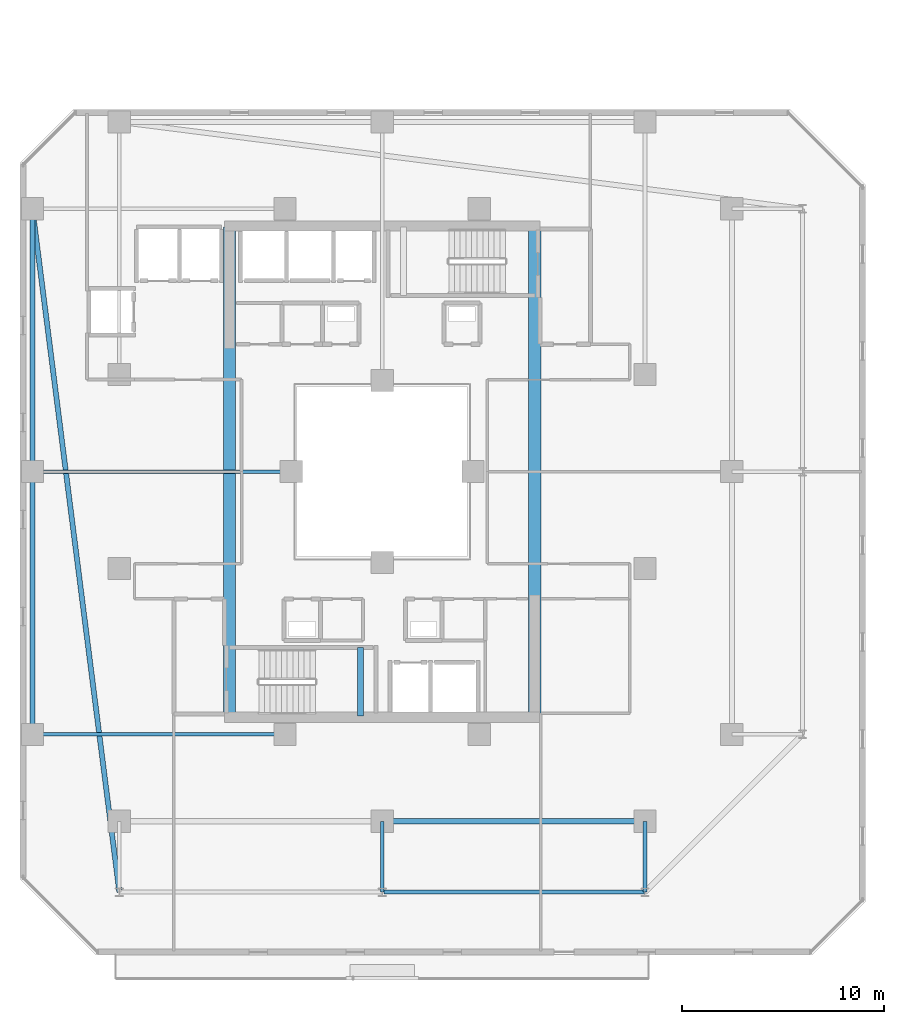
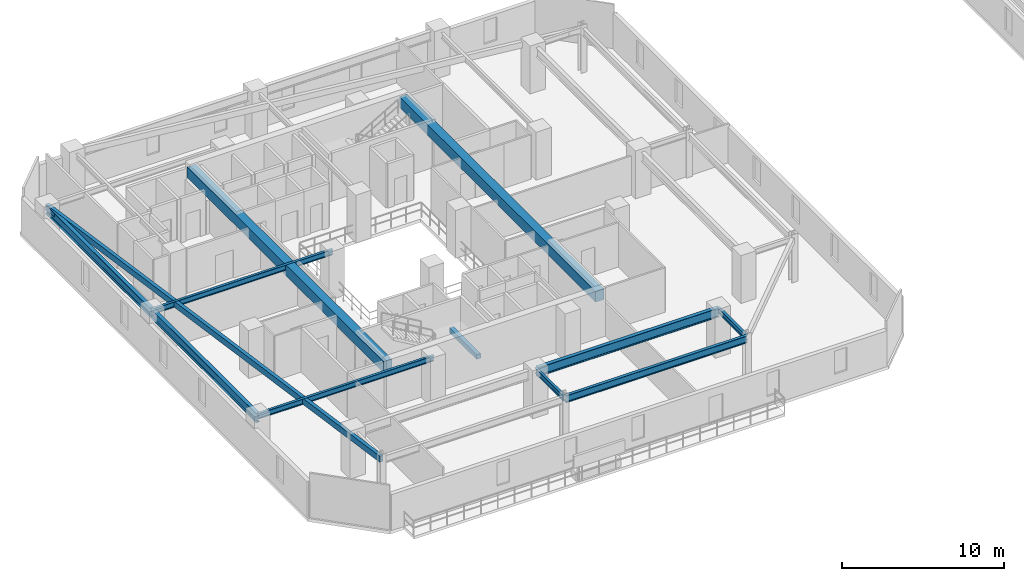
# One storey, part 4 of 32: 12 beams.
"""IFC4 building model written with IfcOpenShell, lengths in metres."""

from ifc_helpers import new_model, si_unit, direction, frame, origin, origin_2d, place, context, subcontext, project, spatial, rectangle, hollow_rectangle, i_section, extrude, material, material_profile, profile_set, type_object, element, save


model = new_model("IFC4")

# Units and contexts
model_context = context("Model", 3, precision=1e-05, world=origin(), true_north=direction((0.0, 1.0)))
body_context = subcontext(model_context, "Body", "Model", "MODEL_VIEW")
ifc_project = project(units=[si_unit("LENGTHUNIT", "METRE"), si_unit("AREAUNIT", "SQUARE_METRE"), si_unit("VOLUMEUNIT", "CUBIC_METRE"), si_unit("PLANEANGLEUNIT", "RADIAN"), si_unit("MASSUNIT", "GRAM", prefix="KILO")], contexts=[model_context])

# Site, building, storey
site_placement = place(None, origin())
site = spatial("IfcSite", under=ifc_project, at=site_placement, CompositionType="ELEMENT")
building_placement = place(site_placement, origin())
building = spatial("IfcBuilding", under=site, at=building_placement, Name="Thornwick Lancets Civic Towers", CompositionType="ELEMENT")
storey_placement = place(building_placement, frame((0.0, 0.0, 156.300048828125)))
storey = spatial("IfcBuildingStorey", under=building, at=storey_placement, Name="L41", CompositionType="ELEMENT", Elevation=156.300048828125)

# Beams
ifc_material_1 = material(Name="Concrete C60/75", Category="concrete")
ifc_material_profile_1 = material_profile(ifc_material_1, rectangle(XDim=0.60009765625, YDim=0.800048828125, at=origin_2d()), Name="RC 600x800")
ifc_profile_set_1 = profile_set([ifc_material_profile_1], Name="Concrete C60/75")
beam_type_1 = type_object("IfcBeamType", Name="BM_COUP_RC800", PredefinedType="BEAM", material=ifc_profile_set_1)
for number, where, z_axis, x_axis, name in (
    (1, (33.050048828125, 14.89990234375, 2.9599609375), (0.0, 1.0, 0.0), (-1.0, 0.0, 0.0), "CB-L41-A1"),
    (2, (17.949951171875, 14.89990234375, 2.9599609375), (0.0, 1.0, 0.0), (-1.0, 0.0, 0.0), "CB-L41-A2"),
):
    element("IfcBeam", number, at=place(storey_placement, frame(where, z_axis=z_axis, x_axis=x_axis)), inside=storey, type_object=beam_type_1, Name=name, PredefinedType="BEAM", context=body_context, shape_type="SweptSolid", body=[
        extrude(rectangle(XDim=0.60009765625, YDim=0.800048828125, at=origin_2d()), origin(), (0.0, 0.0, 1.0), 24.2001953125),
    ])
ifc_material_2 = material(Name="Steel S355JR", Category="steel")
ifc_material_profile_2 = material_profile(ifc_material_2, i_section(OverallWidth=0.210693359375, OverallDepth=0.53955078125, WebThickness=0.01171875, FlangeThickness=0.018798828125, FilletRadius=0.0126953125, at=origin_2d()), Name="UKB 533x210x109")
ifc_profile_set_2 = profile_set([ifc_material_profile_2], Name="Steel S355JR")
beam_type_2 = type_object("IfcBeamType", Name="BM_EDGE_533_109", PredefinedType="SPANDREL", material=ifc_profile_set_2)
beam_1_placement = place(storey_placement, frame((25.580078125, 6.199951171875, 3.09033203125), z_axis=(1.0, 0.0, 0.0), x_axis=(0.0, 1.0, 0.0)))
element("IfcBeam", 3, at=beam_1_placement, inside=storey, type_object=beam_type_2, Name="BM-EDGE-L41-A-S0-2", PredefinedType="SPANDREL", context=body_context, shape_type="SweptSolid", body=[
    extrude(i_section(OverallWidth=0.210693359375, OverallDepth=0.53955078125, WebThickness=0.01171875, FlangeThickness=0.018798828125, FilletRadius=0.0126953125, at=origin_2d()), origin(), (0.0, 0.0, 1.0), 12.919921875),
])
ifc_material_profile_3 = material_profile(ifc_material_2, i_section(OverallWidth=0.255859375, OverallDepth=0.69287109375, WebThickness=0.014404296875, FlangeThickness=0.023681640625, FilletRadius=0.01513671875, at=origin_2d()), Name="UKB 686x254x170")
ifc_profile_set_3 = profile_set([ifc_material_profile_3], Name="Steel S355JR")
beam_type_3 = type_object("IfcBeamType", Name="BM_GIRD_686_170", PredefinedType="BEAM", material=ifc_profile_set_3)
beam_2_placement = place(storey_placement, frame((25.580078125, 9.699951171875, 3.013427734375), z_axis=(1.0, 0.0, 0.0), x_axis=(0.0, 1.0, 0.0)))
element("IfcBeam", 4, at=beam_2_placement, inside=storey, type_object=beam_type_3, Name="BM-SPINE-L41-A-1-2", PredefinedType="BEAM", context=body_context, shape_type="SweptSolid", body=[
    extrude(i_section(OverallWidth=0.255859375, OverallDepth=0.69287109375, WebThickness=0.014404296875, FlangeThickness=0.023681640625, FilletRadius=0.01513671875, at=origin_2d()), origin(), (0.0, 0.0, 1.0), 12.919921875),
])
beam_3_placement = place(storey_placement, frame((8.199951171875, 14.0, 3.013427734375), z_axis=(0.0, 1.0, 0.0), x_axis=(-1.0, 0.0, 0.0)))
element("IfcBeam", 5, at=beam_3_placement, inside=storey, type_object=beam_type_3, Name="BM-SPINE-L41-A-9-10", PredefinedType="BEAM", context=body_context, shape_type="SweptSolid", body=[
    extrude(i_section(OverallWidth=0.255859375, OverallDepth=0.69287109375, WebThickness=0.014404296875, FlangeThickness=0.023681640625, FilletRadius=0.01513671875, at=origin_2d()), origin(), (0.0, 0.0, 1.0), 13.0),
])
beam_4_placement = place(storey_placement, frame((8.199951171875, 27.080078125, 3.013427734375), z_axis=(0.0, 1.0, 0.0), x_axis=(-1.0, 0.0, 0.0)))
element("IfcBeam", 6, at=beam_4_placement, inside=storey, type_object=beam_type_3, Name="BM-SPINE-L41-A-10-11", PredefinedType="BEAM", context=body_context, shape_type="SweptSolid", body=[
    extrude(i_section(OverallWidth=0.255859375, OverallDepth=0.69287109375, WebThickness=0.014404296875, FlangeThickness=0.023681640625, FilletRadius=0.01513671875, at=origin_2d()), origin(), (0.0, 0.0, 1.0), 12.919921875),
])
ifc_material_profile_4 = material_profile(ifc_material_2, i_section(OverallWidth=0.179443359375, OverallDepth=0.412841796875, WebThickness=0.009521484375, FlangeThickness=0.01611328125, FilletRadius=0.01025390625, at=origin_2d()), Name="UKB 406x178x74")
ifc_profile_set_4 = profile_set([ifc_material_profile_4], Name="Steel S355JR")
beam_type_4 = type_object("IfcBeamType", Name="BM_JOIST_406_74", PredefinedType="JOIST", material=ifc_profile_set_4)
for number, where, z_axis, x_axis, name in (
    (7, (25.5, 9.699951171875, 3.153564453125), (0.0, -1.0, 0.0), (1.0, 0.0, 0.0), "BM-RAD-L41-A02"),
    (8, (38.5, 9.699951171875, 3.153564453125), (0.0, -1.0, 0.0), (1.0, 0.0, 0.0), "BM-RAD-L41-A03"),
):
    element("IfcBeam", number, at=place(storey_placement, frame(where, z_axis=z_axis, x_axis=x_axis)), inside=storey, type_object=beam_type_4, Name=name, PredefinedType="JOIST", context=body_context, shape_type="SweptSolid", body=[
        extrude(i_section(OverallWidth=0.179443359375, OverallDepth=0.412841796875, WebThickness=0.009521484375, FlangeThickness=0.01611328125, FilletRadius=0.01025390625, at=origin_2d()), origin(), (0.0, 0.0, 1.0), 3.5),
    ])
beam_5_placement = place(storey_placement, frame((20.699951171875, 14.0, 3.153564453125), z_axis=(-1.0, 0.0, 0.0), x_axis=(0.0, -1.0, 0.0)))
element("IfcBeam", 9, at=beam_5_placement, inside=storey, type_object=beam_type_4, Name="BM-RADIN-L41-A10", PredefinedType="JOIST", context=body_context, shape_type="SweptSolid", body=[
    extrude(i_section(OverallWidth=0.179443359375, OverallDepth=0.412841796875, WebThickness=0.009521484375, FlangeThickness=0.01611328125, FilletRadius=0.01025390625, at=origin_2d()), origin(), (0.0, 0.0, 1.0), 12.5),
])
beam_6_placement = place(storey_placement, frame((21.0, 27.0, 3.153564453125), z_axis=(-1.0, 0.0, 0.0), x_axis=(0.0, -1.0, 0.0)))
element("IfcBeam", 10, at=beam_6_placement, inside=storey, type_object=beam_type_4, Name="BM-RADIN-L41-A11", PredefinedType="JOIST", context=body_context, shape_type="SweptSolid", body=[
    extrude(i_section(OverallWidth=0.179443359375, OverallDepth=0.412841796875, WebThickness=0.009521484375, FlangeThickness=0.01611328125, FilletRadius=0.01025390625, at=origin_2d()), origin(), (0.0, 0.0, 1.0), 12.800048828125),
])
ifc_material_profile_5 = material_profile(ifc_material_2, hollow_rectangle(XDim=0.25, YDim=0.449951171875, WallThickness=0.01611328125, at=origin_2d()), Name="RHS 450x250x16")
ifc_profile_set_5 = profile_set([ifc_material_profile_5], Name="Steel S355JR")
beam_type_5 = type_object("IfcBeamType", Name="BM_RING_RHS450", PredefinedType="BEAM", material=ifc_profile_set_5)
beam_7_placement = place(storey_placement, frame((8.199951171875, 40.0, 3.135009765625), z_axis=(0.126202998662, -0.992004437051, 0.0), x_axis=(0.992004437051, 0.126202998662, 0.0)))
element("IfcBeam", 11, at=beam_7_placement, inside=storey, type_object=beam_type_5, Name="BM-CHAMF-L41-A-C3", PredefinedType="BEAM", context=body_context, shape_type="SweptSolid", body=[
    extrude(hollow_rectangle(XDim=0.25, YDim=0.449951171875, WallThickness=0.01611328125, at=origin_2d()), origin(), (0.0, 0.0, 1.0), 34.072509765625),
])
ifc_material_3 = material(Name="Concrete C40/50", Category="concrete")
ifc_material_profile_6 = material_profile(ifc_material_3, rectangle(XDim=0.300048828125, YDim=0.35009765625, at=origin_2d()), Name="RC 300x350")
ifc_profile_set_6 = profile_set([ifc_material_profile_6], Name="Concrete C40/50")
beam_type_6 = type_object("IfcBeamType", Name="BM_STAIR_LDG", PredefinedType="BEAM", material=ifc_profile_set_6)
beam_8_placement = place(storey_placement, frame((24.43505859375, 14.89990234375, 1.3779296875), z_axis=(0.0, 1.0, 0.0), x_axis=(-1.0, 0.0, 0.0)))
element("IfcBeam", 12, at=beam_8_placement, inside=storey, type_object=beam_type_6, Name="L41 ST-A1 Landing Support Beam 1", PredefinedType="BEAM", context=body_context, shape_type="SweptSolid", body=[
    extrude(rectangle(XDim=0.300048828125, YDim=0.35009765625, at=origin_2d()), origin(), (0.0, 0.0, 1.0), 3.400146484375),
])

save(model, "model.ifc")
